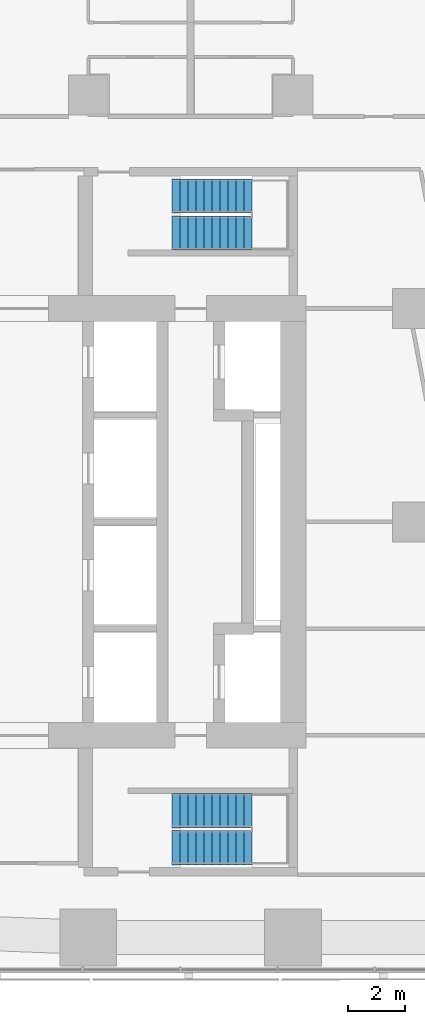
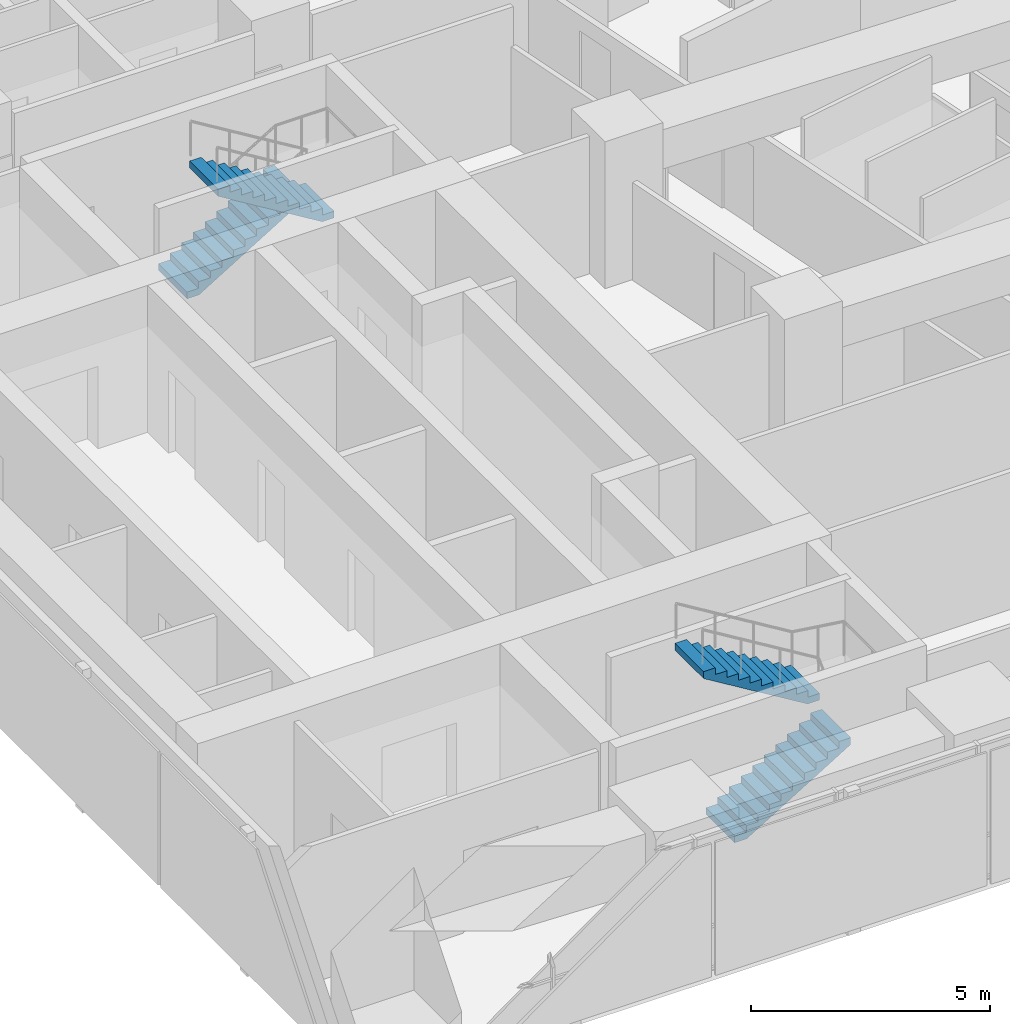
# One storey, part 10 of 11: 4 stair flights, 2 elements without a shape of their own.
"""IFC4 building model written with IfcOpenShell, lengths in metres."""

from ifc_helpers import new_model, si_unit, direction, frame, origin, place, context, subcontext, project, spatial, triangles, material, type_object, element, aggregate, save


model = new_model("IFC4")

# Units and contexts
model_context = context("Model", 3, precision=1e-05, world=origin(), true_north=direction((0.0, 1.0)))
body_context = subcontext(model_context, "Body", "Model", "MODEL_VIEW")
ifc_project = project(units=[si_unit("LENGTHUNIT", "METRE"), si_unit("AREAUNIT", "SQUARE_METRE"), si_unit("VOLUMEUNIT", "CUBIC_METRE"), si_unit("PLANEANGLEUNIT", "RADIAN"), si_unit("MASSUNIT", "GRAM", prefix="KILO")], contexts=[model_context])

# Site, building, storey
site_placement = place(None, origin())
site = spatial("IfcSite", under=ifc_project, at=site_placement, CompositionType="ELEMENT")
building_placement = place(site_placement, origin())
building = spatial("IfcBuilding", under=site, at=building_placement, Name="Sheger Commons Tower", CompositionType="ELEMENT")
storey_placement = place(building_placement, frame((0.0, 0.0, 259.10009765625)))
storey = spatial("IfcBuildingStorey", under=building, at=storey_placement, Name="L66", CompositionType="ELEMENT", Elevation=259.10009765625)

# Stair, stair flights
ifc_material_1 = material(Name="Concrete C35/45", Category="concrete")
stair_type = type_object("IfcStairType", Name="HALF-TURN STAIR 1200 RISE 3750", PredefinedType="HALF_TURN_STAIR", material=ifc_material_1)
stair_1_placement = place(storey_placement, origin())
stair_1 = element("IfcStair", 1, at=stair_1_placement, inside=storey, type_object=stair_type, Name="Stair S1 L66", PredefinedType="HALF_TURN_STAIR")
ifc_material_2 = material(Name="Concrete C35/45", Category="concrete")
stair_flight_type = type_object("IfcStairFlightType", Name="STAIR FLIGHT 1200 11 RISERS OF 170", PredefinedType="STRAIGHT", material=ifc_material_2)
stair_flight_1_placement = place(storey_placement, frame((24.550048828125, 11.050048828125, 0.0), z_axis=(0.0, 0.0, 1.0), x_axis=(1.0, 0.0, 0.0)))
stair_flight_1 = element("IfcStairFlight", 2, at=stair_flight_1_placement, type_object=stair_flight_type, Name="S1 flight 1", NumberOfRisers=11, NumberOfTreads=10, PredefinedType="STRAIGHT", RiserHeight=0.170454545, TreadLength=0.28, context=body_context, shape_type="Tessellation", body=[
    triangles([(0.0, 0.5999755859375, 0.0), (0.0, 0.5999755859375, 0.17041015625), (0.280029296875, 0.5999755859375, 0.17041015625), (0.280029296875, 0.5999755859375, 0.3408203125), (0.56005859375, 0.5999755859375, 0.3408203125), (0.56005859375, 0.5999755859375, 0.511474609375), (0.840087890625, 0.5999755859375, 0.511474609375), (0.840087890625, 0.5999755859375, 0.681884765625), (1.1201171875, 0.5999755859375, 0.681884765625), (1.1201171875, 0.5999755859375, 0.852294921875), (1.39990234375, 0.5999755859375, 0.852294921875), (1.39990234375, 0.5999755859375, 1.022705078125), (1.679931640625, 0.5999755859375, 1.022705078125), (1.679931640625, 0.5999755859375, 1.193115234375), (1.9599609375, 0.5999755859375, 1.193115234375), (1.9599609375, 0.5999755859375, 1.363525390625), (2.239990234375, 0.5999755859375, 1.363525390625), (2.239990234375, 0.5999755859375, 1.5341796875), (2.52001953125, 0.5999755859375, 1.5341796875), (2.52001953125, 0.5999755859375, 1.70458984375), (2.800048828125, 0.5999755859375, 1.70458984375), (2.800048828125, 0.5999755859375, 1.529052734375), (0.288330078125, 0.5999755859375, 0.0), (0.0, -0.5999755859375, 0.0), (0.0, -0.5999755859375, 0.17041015625), (0.280029296875, -0.5999755859375, 0.17041015625), (0.280029296875, -0.5999755859375, 0.3408203125), (0.56005859375, -0.5999755859375, 0.3408203125), (0.56005859375, -0.5999755859375, 0.511474609375), (0.840087890625, -0.5999755859375, 0.511474609375), (0.840087890625, -0.5999755859375, 0.681884765625), (1.1201171875, -0.5999755859375, 0.681884765625), (1.1201171875, -0.5999755859375, 0.852294921875), (1.39990234375, -0.5999755859375, 0.852294921875), (1.39990234375, -0.5999755859375, 1.022705078125), (1.679931640625, -0.5999755859375, 1.022705078125), (1.679931640625, -0.5999755859375, 1.193115234375), (1.9599609375, -0.5999755859375, 1.193115234375), (1.9599609375, -0.5999755859375, 1.363525390625), (2.239990234375, -0.5999755859375, 1.363525390625), (2.239990234375, -0.5999755859375, 1.5341796875), (2.52001953125, -0.5999755859375, 1.5341796875), (2.52001953125, -0.5999755859375, 1.70458984375), (2.800048828125, -0.5999755859375, 1.70458984375), (2.800048828125, -0.5999755859375, 1.529052734375), (0.288330078125, -0.5999755859375, 0.0), (0.0, 0.0, 0.085205078125), (0.1400146484375, 0.0, 0.17041015625), (0.280029296875, 0.0, 0.255615234375), (0.4200439453125, 0.0, 0.3408203125), (0.56005859375, 0.0, 0.4261474609375), (0.7000732421875, 0.0, 0.511474609375), (0.840087890625, 0.0, 0.5966796875), (0.9801025390625, 0.0, 0.681884765625), (1.1201171875, 0.0, 0.76708984375), (1.260009765625, 0.0, 0.852294921875), (1.39990234375, 0.0, 0.9375), (1.5399169921875, 0.0, 1.022705078125), (1.679931640625, 0.0, 1.10791015625), (1.8199462890625, 0.0, 1.193115234375), (1.9599609375, 0.0, 1.2783203125), (2.0999755859375, 0.0, 1.363525390625), (2.239990234375, 0.0, 1.4488525390625), (2.3800048828125, 0.0, 1.5341796875), (2.52001953125, 0.0, 1.619384765625), (2.6600341796875, 0.0, 1.70458984375), (2.800048828125, 0.0, 1.6168212890625), (1.544189453125, 0.0, 0.7645263671875), (0.1441650390625, 0.0, 0.0)], [[1, 22, 23], [24, 46, 45], [22, 20, 21], [45, 44, 43], [22, 19, 20], [45, 43, 42], [22, 18, 19], [45, 42, 41], [22, 17, 18], [45, 41, 40], [17, 15, 16], [40, 39, 38], [22, 15, 17], [45, 40, 38], [15, 13, 14], [38, 37, 36], [22, 13, 15], [45, 38, 36], [13, 11, 12], [36, 35, 34], [22, 11, 13], [45, 36, 34], [11, 9, 10], [34, 33, 32], [22, 9, 11], [45, 34, 32], [9, 7, 8], [32, 31, 30], [22, 7, 9], [45, 32, 30], [7, 5, 6], [30, 29, 28], [22, 5, 7], [45, 30, 28], [5, 3, 4], [28, 27, 26], [22, 3, 5], [45, 28, 26], [1, 3, 22], [24, 45, 26], [3, 1, 2], [26, 25, 24], [1, 47, 2], [2, 47, 25], [25, 47, 24], [24, 47, 1], [2, 48, 3], [3, 48, 26], [26, 48, 25], [25, 48, 2], [3, 49, 4], [4, 49, 27], [27, 49, 26], [26, 49, 3], [4, 50, 5], [5, 50, 28], [28, 50, 27], [27, 50, 4], [5, 51, 6], [6, 51, 29], [29, 51, 28], [28, 51, 5], [6, 52, 7], [7, 52, 30], [30, 52, 29], [29, 52, 6], [7, 53, 8], [8, 53, 31], [31, 53, 30], [30, 53, 7], [8, 54, 9], [9, 54, 32], [32, 54, 31], [31, 54, 8], [9, 55, 10], [10, 55, 33], [33, 55, 32], [32, 55, 9], [10, 56, 11], [11, 56, 34], [34, 56, 33], [33, 56, 10], [11, 57, 12], [12, 57, 35], [35, 57, 34], [34, 57, 11], [12, 58, 13], [13, 58, 36], [36, 58, 35], [35, 58, 12], [13, 59, 14], [14, 59, 37], [37, 59, 36], [36, 59, 13], [14, 60, 15], [15, 60, 38], [38, 60, 37], [37, 60, 14], [15, 61, 16], [16, 61, 39], [39, 61, 38], [38, 61, 15], [16, 62, 17], [17, 62, 40], [40, 62, 39], [39, 62, 16], [17, 63, 18], [18, 63, 41], [41, 63, 40], [40, 63, 17], [18, 64, 19], [19, 64, 42], [42, 64, 41], [41, 64, 18], [19, 65, 20], [20, 65, 43], [43, 65, 42], [42, 65, 19], [20, 66, 21], [21, 66, 44], [44, 66, 43], [43, 66, 20], [21, 67, 22], [22, 67, 45], [45, 67, 44], [44, 67, 21], [22, 68, 23], [23, 68, 46], [46, 68, 45], [45, 68, 22], [23, 69, 1], [1, 69, 24], [24, 69, 46], [46, 69, 23]], closed=True),
])
stair_flight_2_placement = place(storey_placement, frame((27.35009765625, 12.35009765625, 1.875), z_axis=(0.0, 0.0, 1.0), x_axis=(-1.0, 0.0, 0.0)))
stair_flight_2 = element("IfcStairFlight", 3, at=stair_flight_2_placement, type_object=stair_flight_type, Name="S1 flight 2", NumberOfRisers=11, NumberOfTreads=10, PredefinedType="STRAIGHT", RiserHeight=0.170454545, TreadLength=0.28, context=body_context, shape_type="Tessellation", body=[
    triangles([(0.0, 0.5999755859375, 0.0), (0.0, 0.5999755859375, 0.17041015625), (0.280029296875, 0.5999755859375, 0.17041015625), (0.280029296875, 0.5999755859375, 0.3408203125), (0.56005859375, 0.5999755859375, 0.3408203125), (0.56005859375, 0.5999755859375, 0.511474609375), (0.840087890625, 0.5999755859375, 0.511474609375), (0.840087890625, 0.5999755859375, 0.681884765625), (1.1201171875, 0.5999755859375, 0.681884765625), (1.1201171875, 0.5999755859375, 0.852294921875), (1.39990234375, 0.5999755859375, 0.852294921875), (1.39990234375, 0.5999755859375, 1.022705078125), (1.679931640625, 0.5999755859375, 1.022705078125), (1.679931640625, 0.5999755859375, 1.193115234375), (1.9599609375, 0.5999755859375, 1.193115234375), (1.9599609375, 0.5999755859375, 1.363525390625), (2.239990234375, 0.5999755859375, 1.363525390625), (2.239990234375, 0.5999755859375, 1.5341796875), (2.52001953125, 0.5999755859375, 1.5341796875), (2.52001953125, 0.5999755859375, 1.70458984375), (2.800048828125, 0.5999755859375, 1.70458984375), (2.800048828125, 0.5999755859375, 1.529052734375), (0.288330078125, 0.5999755859375, 0.0), (0.0, -0.5999755859375, 0.0), (0.0, -0.5999755859375, 0.17041015625), (0.280029296875, -0.5999755859375, 0.17041015625), (0.280029296875, -0.5999755859375, 0.3408203125), (0.56005859375, -0.5999755859375, 0.3408203125), (0.56005859375, -0.5999755859375, 0.511474609375), (0.840087890625, -0.5999755859375, 0.511474609375), (0.840087890625, -0.5999755859375, 0.681884765625), (1.1201171875, -0.5999755859375, 0.681884765625), (1.1201171875, -0.5999755859375, 0.852294921875), (1.39990234375, -0.5999755859375, 0.852294921875), (1.39990234375, -0.5999755859375, 1.022705078125), (1.679931640625, -0.5999755859375, 1.022705078125), (1.679931640625, -0.5999755859375, 1.193115234375), (1.9599609375, -0.5999755859375, 1.193115234375), (1.9599609375, -0.5999755859375, 1.363525390625), (2.239990234375, -0.5999755859375, 1.363525390625), (2.239990234375, -0.5999755859375, 1.5341796875), (2.52001953125, -0.5999755859375, 1.5341796875), (2.52001953125, -0.5999755859375, 1.70458984375), (2.800048828125, -0.5999755859375, 1.70458984375), (2.800048828125, -0.5999755859375, 1.529052734375), (0.288330078125, -0.5999755859375, 0.0), (0.0, 0.0, 0.085205078125), (0.1400146484375, 0.0, 0.17041015625), (0.280029296875, 0.0, 0.255615234375), (0.4200439453125, 0.0, 0.3408203125), (0.56005859375, 0.0, 0.4261474609375), (0.7000732421875, 0.0, 0.511474609375), (0.840087890625, 0.0, 0.5966796875), (0.9801025390625, 0.0, 0.681884765625), (1.1201171875, 0.0, 0.76708984375), (1.260009765625, 0.0, 0.852294921875), (1.39990234375, 0.0, 0.9375), (1.5399169921875, 0.0, 1.022705078125), (1.679931640625, 0.0, 1.10791015625), (1.8199462890625, 0.0, 1.193115234375), (1.9599609375, 0.0, 1.2783203125), (2.0999755859375, 0.0, 1.363525390625), (2.239990234375, 0.0, 1.4488525390625), (2.3800048828125, 0.0, 1.5341796875), (2.52001953125, 0.0, 1.619384765625), (2.6600341796875, 0.0, 1.70458984375), (2.800048828125, 0.0, 1.6168212890625), (1.544189453125, 0.0, 0.7645263671875), (0.1441650390625, 0.0, 0.0)], [[1, 22, 23], [24, 46, 45], [22, 20, 21], [45, 44, 43], [22, 19, 20], [45, 43, 42], [22, 18, 19], [45, 42, 41], [22, 17, 18], [45, 41, 40], [17, 15, 16], [40, 39, 38], [22, 15, 17], [45, 40, 38], [15, 13, 14], [38, 37, 36], [22, 13, 15], [45, 38, 36], [13, 11, 12], [36, 35, 34], [22, 11, 13], [45, 36, 34], [11, 9, 10], [34, 33, 32], [22, 9, 11], [45, 34, 32], [9, 7, 8], [32, 31, 30], [22, 7, 9], [45, 32, 30], [7, 5, 6], [30, 29, 28], [22, 5, 7], [45, 30, 28], [5, 3, 4], [28, 27, 26], [22, 3, 5], [45, 28, 26], [1, 3, 22], [24, 45, 26], [3, 1, 2], [26, 25, 24], [1, 47, 2], [2, 47, 25], [25, 47, 24], [24, 47, 1], [2, 48, 3], [3, 48, 26], [26, 48, 25], [25, 48, 2], [3, 49, 4], [4, 49, 27], [27, 49, 26], [26, 49, 3], [4, 50, 5], [5, 50, 28], [28, 50, 27], [27, 50, 4], [5, 51, 6], [6, 51, 29], [29, 51, 28], [28, 51, 5], [6, 52, 7], [7, 52, 30], [30, 52, 29], [29, 52, 6], [7, 53, 8], [8, 53, 31], [31, 53, 30], [30, 53, 7], [8, 54, 9], [9, 54, 32], [32, 54, 31], [31, 54, 8], [9, 55, 10], [10, 55, 33], [33, 55, 32], [32, 55, 9], [10, 56, 11], [11, 56, 34], [34, 56, 33], [33, 56, 10], [11, 57, 12], [12, 57, 35], [35, 57, 34], [34, 57, 11], [12, 58, 13], [13, 58, 36], [36, 58, 35], [35, 58, 12], [13, 59, 14], [14, 59, 37], [37, 59, 36], [36, 59, 13], [14, 60, 15], [15, 60, 38], [38, 60, 37], [37, 60, 14], [15, 61, 16], [16, 61, 39], [39, 61, 38], [38, 61, 15], [16, 62, 17], [17, 62, 40], [40, 62, 39], [39, 62, 16], [17, 63, 18], [18, 63, 41], [41, 63, 40], [40, 63, 17], [18, 64, 19], [19, 64, 42], [42, 64, 41], [41, 64, 18], [19, 65, 20], [20, 65, 43], [43, 65, 42], [42, 65, 19], [20, 66, 21], [21, 66, 44], [44, 66, 43], [43, 66, 20], [21, 67, 22], [22, 67, 45], [45, 67, 44], [44, 67, 21], [22, 68, 23], [23, 68, 46], [46, 68, 45], [45, 68, 22], [23, 69, 1], [1, 69, 24], [24, 69, 46], [46, 69, 23]], closed=True),
])
aggregate(stair_1, [stair_flight_1, stair_flight_2])

stair_2_placement = place(storey_placement, origin())
stair_2 = element("IfcStair", 4, at=stair_2_placement, inside=storey, type_object=stair_type, Name="Stair S2 L66", PredefinedType="HALF_TURN_STAIR")
stair_flight_3_placement = place(storey_placement, frame((24.550048828125, 33.949951171875, 0.0), z_axis=(0.0, 0.0, 1.0), x_axis=(1.0, 0.0, 0.0)))
stair_flight_3 = element("IfcStairFlight", 5, at=stair_flight_3_placement, type_object=stair_flight_type, Name="S2 flight 1", NumberOfRisers=11, NumberOfTreads=10, PredefinedType="STRAIGHT", RiserHeight=0.170454545, TreadLength=0.28, context=body_context, shape_type="Tessellation", body=[
    triangles([(0.0, 0.5999755859375, 0.0), (0.0, 0.5999755859375, 0.17041015625), (0.280029296875, 0.5999755859375, 0.17041015625), (0.280029296875, 0.5999755859375, 0.3408203125), (0.56005859375, 0.5999755859375, 0.3408203125), (0.56005859375, 0.5999755859375, 0.511474609375), (0.840087890625, 0.5999755859375, 0.511474609375), (0.840087890625, 0.5999755859375, 0.681884765625), (1.1201171875, 0.5999755859375, 0.681884765625), (1.1201171875, 0.5999755859375, 0.852294921875), (1.39990234375, 0.5999755859375, 0.852294921875), (1.39990234375, 0.5999755859375, 1.022705078125), (1.679931640625, 0.5999755859375, 1.022705078125), (1.679931640625, 0.5999755859375, 1.193115234375), (1.9599609375, 0.5999755859375, 1.193115234375), (1.9599609375, 0.5999755859375, 1.363525390625), (2.239990234375, 0.5999755859375, 1.363525390625), (2.239990234375, 0.5999755859375, 1.5341796875), (2.52001953125, 0.5999755859375, 1.5341796875), (2.52001953125, 0.5999755859375, 1.70458984375), (2.800048828125, 0.5999755859375, 1.70458984375), (2.800048828125, 0.5999755859375, 1.529052734375), (0.288330078125, 0.5999755859375, 0.0), (0.0, -0.5999755859375, 0.0), (0.0, -0.5999755859375, 0.17041015625), (0.280029296875, -0.5999755859375, 0.17041015625), (0.280029296875, -0.5999755859375, 0.3408203125), (0.56005859375, -0.5999755859375, 0.3408203125), (0.56005859375, -0.5999755859375, 0.511474609375), (0.840087890625, -0.5999755859375, 0.511474609375), (0.840087890625, -0.5999755859375, 0.681884765625), (1.1201171875, -0.5999755859375, 0.681884765625), (1.1201171875, -0.5999755859375, 0.852294921875), (1.39990234375, -0.5999755859375, 0.852294921875), (1.39990234375, -0.5999755859375, 1.022705078125), (1.679931640625, -0.5999755859375, 1.022705078125), (1.679931640625, -0.5999755859375, 1.193115234375), (1.9599609375, -0.5999755859375, 1.193115234375), (1.9599609375, -0.5999755859375, 1.363525390625), (2.239990234375, -0.5999755859375, 1.363525390625), (2.239990234375, -0.5999755859375, 1.5341796875), (2.52001953125, -0.5999755859375, 1.5341796875), (2.52001953125, -0.5999755859375, 1.70458984375), (2.800048828125, -0.5999755859375, 1.70458984375), (2.800048828125, -0.5999755859375, 1.529052734375), (0.288330078125, -0.5999755859375, 0.0), (0.0, 0.0, 0.085205078125), (0.1400146484375, 0.0, 0.17041015625), (0.280029296875, 0.0, 0.255615234375), (0.4200439453125, 0.0, 0.3408203125), (0.56005859375, 0.0, 0.4261474609375), (0.7000732421875, 0.0, 0.511474609375), (0.840087890625, 0.0, 0.5966796875), (0.9801025390625, 0.0, 0.681884765625), (1.1201171875, 0.0, 0.76708984375), (1.260009765625, 0.0, 0.852294921875), (1.39990234375, 0.0, 0.9375), (1.5399169921875, 0.0, 1.022705078125), (1.679931640625, 0.0, 1.10791015625), (1.8199462890625, 0.0, 1.193115234375), (1.9599609375, 0.0, 1.2783203125), (2.0999755859375, 0.0, 1.363525390625), (2.239990234375, 0.0, 1.4488525390625), (2.3800048828125, 0.0, 1.5341796875), (2.52001953125, 0.0, 1.619384765625), (2.6600341796875, 0.0, 1.70458984375), (2.800048828125, 0.0, 1.6168212890625), (1.544189453125, 0.0, 0.7645263671875), (0.1441650390625, 0.0, 0.0)], [[1, 22, 23], [24, 46, 45], [22, 20, 21], [45, 44, 43], [22, 19, 20], [45, 43, 42], [22, 18, 19], [45, 42, 41], [22, 17, 18], [45, 41, 40], [17, 15, 16], [40, 39, 38], [22, 15, 17], [45, 40, 38], [15, 13, 14], [38, 37, 36], [22, 13, 15], [45, 38, 36], [13, 11, 12], [36, 35, 34], [22, 11, 13], [45, 36, 34], [11, 9, 10], [34, 33, 32], [22, 9, 11], [45, 34, 32], [9, 7, 8], [32, 31, 30], [22, 7, 9], [45, 32, 30], [7, 5, 6], [30, 29, 28], [22, 5, 7], [45, 30, 28], [5, 3, 4], [28, 27, 26], [22, 3, 5], [45, 28, 26], [1, 3, 22], [24, 45, 26], [3, 1, 2], [26, 25, 24], [1, 47, 2], [2, 47, 25], [25, 47, 24], [24, 47, 1], [2, 48, 3], [3, 48, 26], [26, 48, 25], [25, 48, 2], [3, 49, 4], [4, 49, 27], [27, 49, 26], [26, 49, 3], [4, 50, 5], [5, 50, 28], [28, 50, 27], [27, 50, 4], [5, 51, 6], [6, 51, 29], [29, 51, 28], [28, 51, 5], [6, 52, 7], [7, 52, 30], [30, 52, 29], [29, 52, 6], [7, 53, 8], [8, 53, 31], [31, 53, 30], [30, 53, 7], [8, 54, 9], [9, 54, 32], [32, 54, 31], [31, 54, 8], [9, 55, 10], [10, 55, 33], [33, 55, 32], [32, 55, 9], [10, 56, 11], [11, 56, 34], [34, 56, 33], [33, 56, 10], [11, 57, 12], [12, 57, 35], [35, 57, 34], [34, 57, 11], [12, 58, 13], [13, 58, 36], [36, 58, 35], [35, 58, 12], [13, 59, 14], [14, 59, 37], [37, 59, 36], [36, 59, 13], [14, 60, 15], [15, 60, 38], [38, 60, 37], [37, 60, 14], [15, 61, 16], [16, 61, 39], [39, 61, 38], [38, 61, 15], [16, 62, 17], [17, 62, 40], [40, 62, 39], [39, 62, 16], [17, 63, 18], [18, 63, 41], [41, 63, 40], [40, 63, 17], [18, 64, 19], [19, 64, 42], [42, 64, 41], [41, 64, 18], [19, 65, 20], [20, 65, 43], [43, 65, 42], [42, 65, 19], [20, 66, 21], [21, 66, 44], [44, 66, 43], [43, 66, 20], [21, 67, 22], [22, 67, 45], [45, 67, 44], [44, 67, 21], [22, 68, 23], [23, 68, 46], [46, 68, 45], [45, 68, 22], [23, 69, 1], [1, 69, 24], [24, 69, 46], [46, 69, 23]], closed=True),
])
stair_flight_4_placement = place(storey_placement, frame((27.35009765625, 32.64990234375, 1.875), z_axis=(0.0, 0.0, 1.0), x_axis=(-1.0, 0.0, 0.0)))
stair_flight_4 = element("IfcStairFlight", 6, at=stair_flight_4_placement, type_object=stair_flight_type, Name="S2 flight 2", NumberOfRisers=11, NumberOfTreads=10, PredefinedType="STRAIGHT", RiserHeight=0.170454545, TreadLength=0.28, context=body_context, shape_type="Tessellation", body=[
    triangles([(0.0, 0.5999755859375, 0.0), (0.0, 0.5999755859375, 0.17041015625), (0.280029296875, 0.5999755859375, 0.17041015625), (0.280029296875, 0.5999755859375, 0.3408203125), (0.56005859375, 0.5999755859375, 0.3408203125), (0.56005859375, 0.5999755859375, 0.511474609375), (0.840087890625, 0.5999755859375, 0.511474609375), (0.840087890625, 0.5999755859375, 0.681884765625), (1.1201171875, 0.5999755859375, 0.681884765625), (1.1201171875, 0.5999755859375, 0.852294921875), (1.39990234375, 0.5999755859375, 0.852294921875), (1.39990234375, 0.5999755859375, 1.022705078125), (1.679931640625, 0.5999755859375, 1.022705078125), (1.679931640625, 0.5999755859375, 1.193115234375), (1.9599609375, 0.5999755859375, 1.193115234375), (1.9599609375, 0.5999755859375, 1.363525390625), (2.239990234375, 0.5999755859375, 1.363525390625), (2.239990234375, 0.5999755859375, 1.5341796875), (2.52001953125, 0.5999755859375, 1.5341796875), (2.52001953125, 0.5999755859375, 1.70458984375), (2.800048828125, 0.5999755859375, 1.70458984375), (2.800048828125, 0.5999755859375, 1.529052734375), (0.288330078125, 0.5999755859375, 0.0), (0.0, -0.5999755859375, 0.0), (0.0, -0.5999755859375, 0.17041015625), (0.280029296875, -0.5999755859375, 0.17041015625), (0.280029296875, -0.5999755859375, 0.3408203125), (0.56005859375, -0.5999755859375, 0.3408203125), (0.56005859375, -0.5999755859375, 0.511474609375), (0.840087890625, -0.5999755859375, 0.511474609375), (0.840087890625, -0.5999755859375, 0.681884765625), (1.1201171875, -0.5999755859375, 0.681884765625), (1.1201171875, -0.5999755859375, 0.852294921875), (1.39990234375, -0.5999755859375, 0.852294921875), (1.39990234375, -0.5999755859375, 1.022705078125), (1.679931640625, -0.5999755859375, 1.022705078125), (1.679931640625, -0.5999755859375, 1.193115234375), (1.9599609375, -0.5999755859375, 1.193115234375), (1.9599609375, -0.5999755859375, 1.363525390625), (2.239990234375, -0.5999755859375, 1.363525390625), (2.239990234375, -0.5999755859375, 1.5341796875), (2.52001953125, -0.5999755859375, 1.5341796875), (2.52001953125, -0.5999755859375, 1.70458984375), (2.800048828125, -0.5999755859375, 1.70458984375), (2.800048828125, -0.5999755859375, 1.529052734375), (0.288330078125, -0.5999755859375, 0.0), (0.0, 0.0, 0.085205078125), (0.1400146484375, 0.0, 0.17041015625), (0.280029296875, 0.0, 0.255615234375), (0.4200439453125, 0.0, 0.3408203125), (0.56005859375, 0.0, 0.4261474609375), (0.7000732421875, 0.0, 0.511474609375), (0.840087890625, 0.0, 0.5966796875), (0.9801025390625, 0.0, 0.681884765625), (1.1201171875, 0.0, 0.76708984375), (1.260009765625, 0.0, 0.852294921875), (1.39990234375, 0.0, 0.9375), (1.5399169921875, 0.0, 1.022705078125), (1.679931640625, 0.0, 1.10791015625), (1.8199462890625, 0.0, 1.193115234375), (1.9599609375, 0.0, 1.2783203125), (2.0999755859375, 0.0, 1.363525390625), (2.239990234375, 0.0, 1.4488525390625), (2.3800048828125, 0.0, 1.5341796875), (2.52001953125, 0.0, 1.619384765625), (2.6600341796875, 0.0, 1.70458984375), (2.800048828125, 0.0, 1.6168212890625), (1.544189453125, 0.0, 0.7645263671875), (0.1441650390625, 0.0, 0.0)], [[1, 22, 23], [24, 46, 45], [22, 20, 21], [45, 44, 43], [22, 19, 20], [45, 43, 42], [22, 18, 19], [45, 42, 41], [22, 17, 18], [45, 41, 40], [17, 15, 16], [40, 39, 38], [22, 15, 17], [45, 40, 38], [15, 13, 14], [38, 37, 36], [22, 13, 15], [45, 38, 36], [13, 11, 12], [36, 35, 34], [22, 11, 13], [45, 36, 34], [11, 9, 10], [34, 33, 32], [22, 9, 11], [45, 34, 32], [9, 7, 8], [32, 31, 30], [22, 7, 9], [45, 32, 30], [7, 5, 6], [30, 29, 28], [22, 5, 7], [45, 30, 28], [5, 3, 4], [28, 27, 26], [22, 3, 5], [45, 28, 26], [1, 3, 22], [24, 45, 26], [3, 1, 2], [26, 25, 24], [1, 47, 2], [2, 47, 25], [25, 47, 24], [24, 47, 1], [2, 48, 3], [3, 48, 26], [26, 48, 25], [25, 48, 2], [3, 49, 4], [4, 49, 27], [27, 49, 26], [26, 49, 3], [4, 50, 5], [5, 50, 28], [28, 50, 27], [27, 50, 4], [5, 51, 6], [6, 51, 29], [29, 51, 28], [28, 51, 5], [6, 52, 7], [7, 52, 30], [30, 52, 29], [29, 52, 6], [7, 53, 8], [8, 53, 31], [31, 53, 30], [30, 53, 7], [8, 54, 9], [9, 54, 32], [32, 54, 31], [31, 54, 8], [9, 55, 10], [10, 55, 33], [33, 55, 32], [32, 55, 9], [10, 56, 11], [11, 56, 34], [34, 56, 33], [33, 56, 10], [11, 57, 12], [12, 57, 35], [35, 57, 34], [34, 57, 11], [12, 58, 13], [13, 58, 36], [36, 58, 35], [35, 58, 12], [13, 59, 14], [14, 59, 37], [37, 59, 36], [36, 59, 13], [14, 60, 15], [15, 60, 38], [38, 60, 37], [37, 60, 14], [15, 61, 16], [16, 61, 39], [39, 61, 38], [38, 61, 15], [16, 62, 17], [17, 62, 40], [40, 62, 39], [39, 62, 16], [17, 63, 18], [18, 63, 41], [41, 63, 40], [40, 63, 17], [18, 64, 19], [19, 64, 42], [42, 64, 41], [41, 64, 18], [19, 65, 20], [20, 65, 43], [43, 65, 42], [42, 65, 19], [20, 66, 21], [21, 66, 44], [44, 66, 43], [43, 66, 20], [21, 67, 22], [22, 67, 45], [45, 67, 44], [44, 67, 21], [22, 68, 23], [23, 68, 46], [46, 68, 45], [45, 68, 22], [23, 69, 1], [1, 69, 24], [24, 69, 46], [46, 69, 23]], closed=True),
])
aggregate(stair_2, [stair_flight_3, stair_flight_4])

save(model, "model.ifc")
